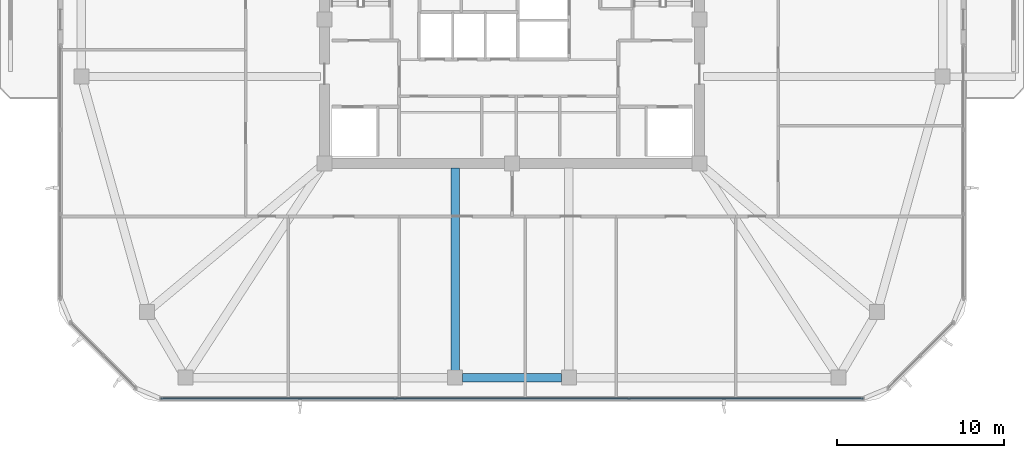
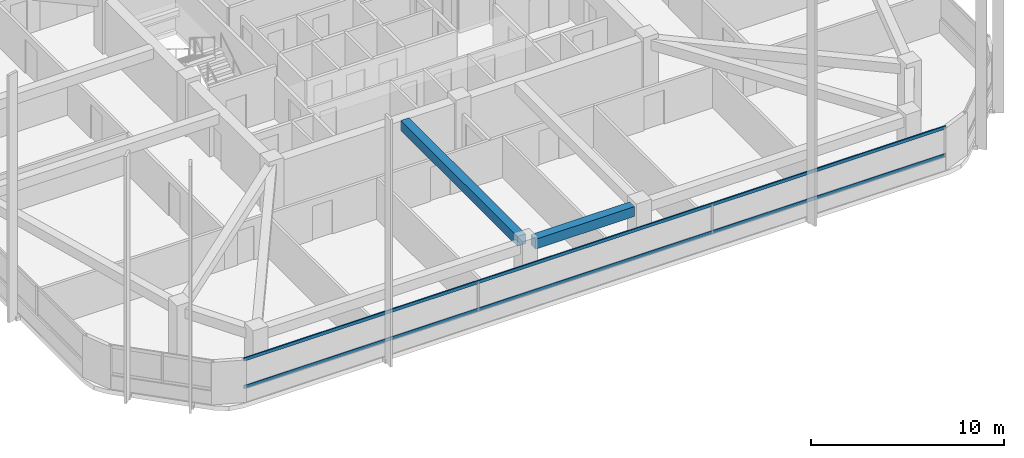
# One storey, part 3 of 17: 2 beams, 2 members, 1 element without a shape of its own.
"""IFC4 building model written with IfcOpenShell, lengths in metres."""

from ifc_helpers import new_model, si_unit, derived_unit, direction, frame, origin, origin_2d, place, context, subcontext, project, spatial, rectangle, extrude, material, material_profile, profile_set, type_object, element, aggregate, save


model = new_model("IFC4")

# Units and contexts
model_context = context("Model", 3, precision=1e-05, world=origin(), true_north=direction((0.0, 1.0)))
body_context = subcontext(model_context, "Body", "Model", "MODEL_VIEW")
ifc_project = project(units=[si_unit("LENGTHUNIT", "METRE"), si_unit("AREAUNIT", "SQUARE_METRE"), si_unit("VOLUMEUNIT", "CUBIC_METRE"), si_unit("PLANEANGLEUNIT", "RADIAN"), si_unit("MASSUNIT", "GRAM", prefix="KILO"), derived_unit("THERMALTRANSMITTANCEUNIT", [(si_unit("POWERUNIT", "WATT"), 1), (si_unit("LENGTHUNIT", "METRE"), -2), (si_unit("THERMODYNAMICTEMPERATUREUNIT", "KELVIN"), -1)])], contexts=[model_context])

# Site, building, storey
site_placement = place(None, origin())
site = spatial("IfcSite", under=ifc_project, at=site_placement, CompositionType="ELEMENT")
building_placement = place(site_placement, origin())
building = spatial("IfcBuilding", under=site, at=building_placement, Name="Koralith Skygarden Medical Center", CompositionType="ELEMENT")
storey_placement = place(building_placement, frame((0.0, 0.0, 221.580078125)))
storey = spatial("IfcBuildingStorey", under=building, at=storey_placement, Name="L57", CompositionType="ELEMENT", Elevation=221.580078125)

# Curtain wall, members
ifc_material_1 = material(Name="Clear Laminated Glass", Category="glass")
curtain_wall_type = type_object("IfcCurtainWallType", Name="CW-5 Zone 4 Flare Biophilic Curtain Wall", PredefinedType="NOTDEFINED", material=ifc_material_1)
curtain_wall_placement = place(storey_placement, origin())
curtain_wall = element("IfcCurtainWall", 1, at=curtain_wall_placement, inside=storey, type_object=curtain_wall_type, Name="Curtain Wall CW-L57-S", PredefinedType="NOTDEFINED")
ifc_material_2 = material(Name="Aluminium 6063-T6", Category="aluminium")
ifc_material_profile_1 = material_profile(ifc_material_2, rectangle(XDim=0.074951171875, YDim=0.197998046875, at=origin_2d()), Name="TRN75X198")
ifc_profile_set_1 = profile_set([ifc_material_profile_1], Name="Aluminium 6063-T6")
member_type = type_object("IfcMemberType", Name="CW-5 Thermal Transom 75x198", PredefinedType="USERDEFINED", material=ifc_profile_set_1)
member_1_placement = place(storey_placement, frame((16.012939453125, 3.280029296875, 0.89990234375), z_axis=(1.0, 0.0, 0.0), x_axis=(0.0, 1.0, 0.0)))
member_1 = element("IfcMember", 2, at=member_1_placement, type_object=member_type, Name="CW-L57-S Transom 1", ObjectType="TRANSOM", PredefinedType="USERDEFINED", context=body_context, shape_type="SweptSolid", body=[
    extrude(rectangle(XDim=0.074951171875, YDim=0.197998046875, at=origin_2d()), origin(), (0.0, 0.0, 1.0), 41.97412109375),
])
member_2_placement = place(storey_placement, frame((16.012939453125, 3.280029296875, 2.639892578125), z_axis=(1.0, 0.0, 0.0), x_axis=(0.0, 1.0, 0.0)))
member_2 = element("IfcMember", 3, at=member_2_placement, type_object=member_type, Name="CW-L57-S Transom 2", ObjectType="TRANSOM", PredefinedType="USERDEFINED", context=body_context, shape_type="SweptSolid", body=[
    extrude(rectangle(XDim=0.074951171875, YDim=0.197998046875, at=origin_2d()), origin(), (0.0, 0.0, 1.0), 41.97412109375),
])
aggregate(curtain_wall, [member_1, member_2])

# Beams
ifc_material_3 = material(Name="Concrete C45/55", Category="concrete")
ifc_material_profile_2 = material_profile(ifc_material_3, rectangle(XDim=0.5, YDim=0.6201171875, at=origin_2d()), Name="RCB500X620")
ifc_profile_set_2 = profile_set([ifc_material_profile_2], Name="Concrete C45/55")
beam_type_1 = type_object("IfcBeamType", Name="Upper Radial Collector Beam RCB500X620", PredefinedType="BEAM", material=ifc_profile_set_2)
beam_1_placement = place(storey_placement, frame((33.60009765625, 17.050048828125, 3.010009765625), z_axis=(0.0, -1.0, 0.0), x_axis=(1.0, 0.0, 0.0)))
element("IfcBeam", 4, at=beam_1_placement, inside=storey, type_object=beam_type_1, Name="L57 Radial Collector Beam RB-04", PredefinedType="BEAM", context=body_context, shape_type="SweptSolid", body=[
    extrude(rectangle(XDim=0.5, YDim=0.6201171875, at=origin_2d()), origin(), (0.0, 0.0, 1.0), 12.090087890625),
])
ifc_material_profile_3 = material_profile(ifc_material_3, rectangle(XDim=0.5, YDim=0.6201171875, at=origin_2d()), Name="RCB500X620")
ifc_profile_set_3 = profile_set([ifc_material_profile_3], Name="Concrete C45/55")
beam_type_2 = type_object("IfcBeamType", Name="Zone 4-5 Spandrel Beam RCB500X620", PredefinedType="SPANDREL", material=ifc_profile_set_3)
beam_2_placement = place(storey_placement, frame((34.0400390625, 4.52001953125, 3.010009765625), z_axis=(1.0, 0.0, 0.0), x_axis=(0.0, 1.0, 0.0)))
element("IfcBeam", 5, at=beam_2_placement, inside=storey, type_object=beam_type_2, Name="L57 Perimeter Spandrel Beam SP-04", PredefinedType="SPANDREL", context=body_context, shape_type="SweptSolid", body=[
    extrude(rectangle(XDim=0.5, YDim=0.6201171875, at=origin_2d()), origin(), (0.0, 0.0, 1.0), 5.919921875),
])

save(model, "model.ifc")
